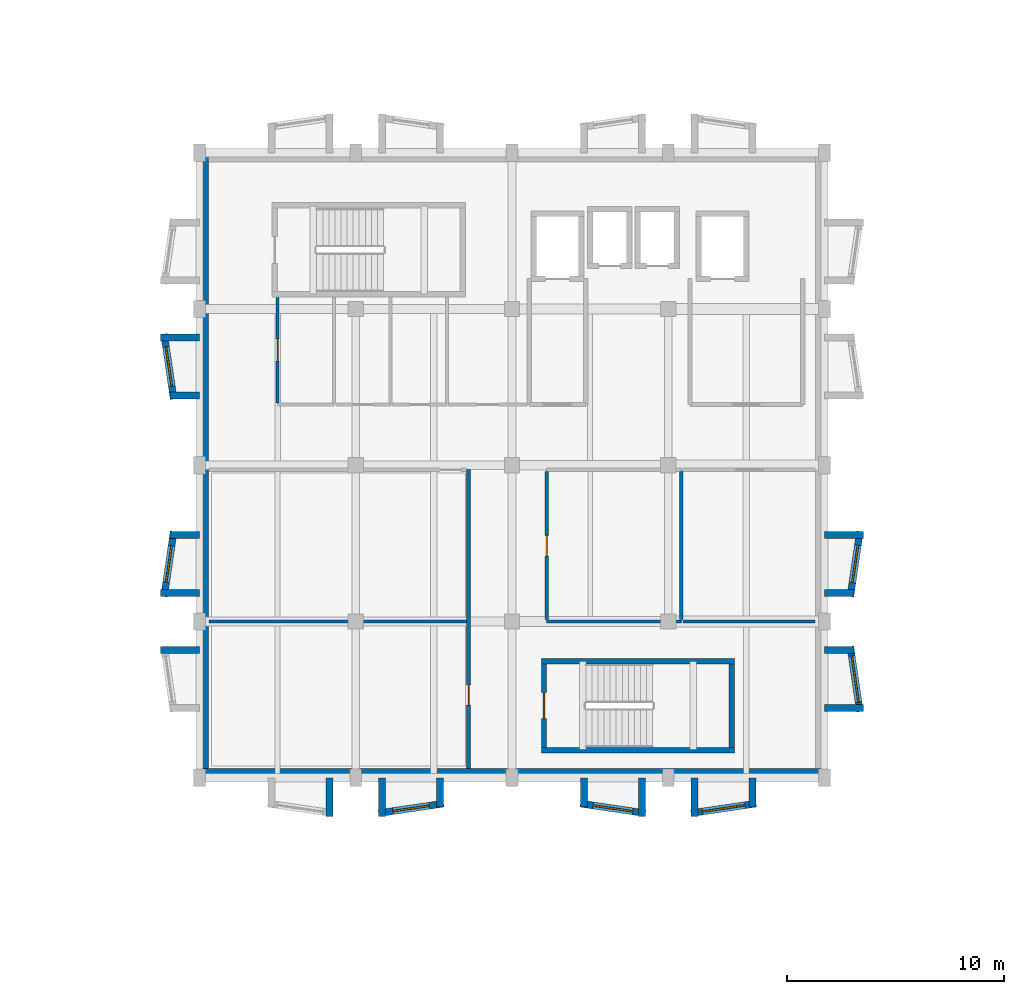
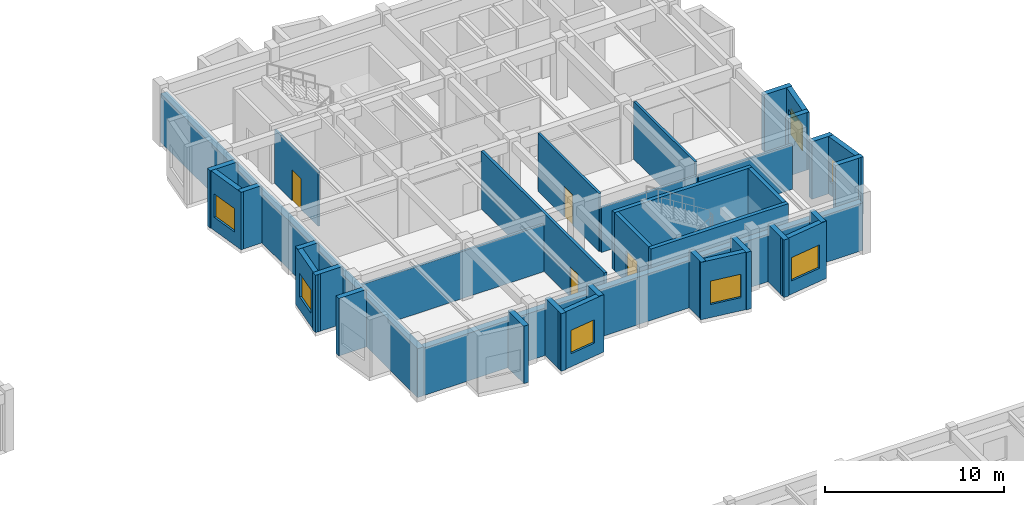
# One storey, part 37 of 49: 36 walls, 7 windows, 4 doors, 11 openings.
"""IFC4 building model written with IfcOpenShell, lengths in metres."""

from ifc_helpers import new_model, si_unit, direction, frame, frame_2d, origin, place, context, subcontext, project, spatial, rectangle, extrude, material, layer, layer_set, type_object, element, fill, save


model = new_model("IFC4")

# Units and contexts
model_context = context("Model", 3, precision=1e-05, world=origin(), true_north=direction((0.0, 1.0)))
body_context = subcontext(model_context, "Body", "Model", "MODEL_VIEW")
ifc_project = project(units=[si_unit("LENGTHUNIT", "METRE"), si_unit("AREAUNIT", "SQUARE_METRE"), si_unit("VOLUMEUNIT", "CUBIC_METRE"), si_unit("PLANEANGLEUNIT", "RADIAN"), si_unit("MASSUNIT", "GRAM", prefix="KILO")], contexts=[model_context])

# Site, building, storey
site_placement = place(None, origin())
site = spatial("IfcSite", under=ifc_project, at=site_placement, CompositionType="ELEMENT")
building_placement = place(site_placement, origin())
building = spatial("IfcBuilding", under=site, at=building_placement, Name="Bramveld Media Centre", CompositionType="ELEMENT")
storey_placement = place(building_placement, frame((0.0, 0.0, 9.60009765625)))
storey = spatial("IfcBuildingStorey", under=building, at=storey_placement, Name="L02", CompositionType="ELEMENT", Elevation=9.60009765625)

# Walls
ifc_material_1 = material(Name="Concrete C40/50 stair & lift core wall", Category="concrete")
ifc_layer_1 = layer(ifc_material_1, 0.25)
ifc_layer_set_1 = layer_set([ifc_layer_1], Name="Concrete C40/50 stair & lift core wall")
wall_type_1 = type_object("IfcWallType", Name="CWALL-SHEAR-250", PredefinedType="SHEAR", material=ifc_layer_set_1)
for number, where, z_axis, x_axis, name in (
    (1, (146.949951171875, 84.47509765625, 0.0), (0.0, 0.0, 1.0), (1.0, 0.0, 0.0), "ST-02 L02 stair core shear wall S"),
    (2, (155.85009765625, 88.574951171875, 0.0), (0.0, 0.0, 1.0), (-1.0, 0.0, 0.0), "ST-02 L02 stair core shear wall N"),
):
    element("IfcWall", number, at=place(storey_placement, frame(where, z_axis=z_axis, x_axis=x_axis)), inside=storey, type_object=wall_type_1, Name=name, PredefinedType="SHEAR", context=body_context, shape_type="SweptSolid", body=[
        extrude(rectangle(XDim=8.900146484375, YDim=0.25, at=frame_2d((4.4501953125, 0.0))), origin(), (0.0, 0.0, 1.0), 3.949951171875),
    ])

# Wall, opening, door
wall_1_placement = place(storey_placement, frame((147.074951171875, 88.449951171875, 0.0), z_axis=(0.0, 0.0, 1.0), x_axis=(0.0, -1.0, 0.0)))
wall_1 = element("IfcWall", 3, at=wall_1_placement, inside=storey, type_object=wall_type_1, Name="ST-02 L02 stair core shear wall W", PredefinedType="SHEAR", context=body_context, shape_type="SweptSolid", body=[
    extrude(rectangle(XDim=3.849853515625, YDim=0.25, at=frame_2d((1.9248046875, 0.0))), origin(), (0.0, 0.0, 1.0), 3.949951171875),
])
opening_1_placement = place(wall_1_placement, frame((1.324951171875, 0.0, 0.0)))
opening_1 = element("IfcOpeningElement", 4, at=opening_1_placement, cuts=wall_1, Name="Opening SD-02-L02", PredefinedType="OPENING", context=body_context, shape_type="SweptSolid", body=[
    extrude(rectangle(XDim=1.199951171875, YDim=2.14990234375, at=frame_2d((0.60009765625, 1.074951171875))), frame((0.0, 0.136962890625, 0.0), z_axis=(0.0, -1.0, 0.0), x_axis=(1.0, 0.0, 0.0)), (0.0, 0.0, 1.0), 0.27392578125),
])
ifc_material_2 = material(Name="Painted galvanized steel acoustic fire door with intumescent smoke seals", Category="steel")
door_type_1 = type_object("IfcDoorType", Name="DR-ST-1200", OperationType="NOTDEFINED", PredefinedType="DOOR", material=ifc_material_2)
door_1_placement = place(opening_1_placement, origin())
door_1 = element("IfcDoor", 5, at=door_1_placement, inside=storey, type_object=door_type_1, Name="ST-02 L02 pressurized stair fire door", OperationType="SINGLE_SWING_LEFT", OverallHeight=2.14990234375, OverallWidth=1.199951171875, PredefinedType="DOOR", context=body_context, shape_type="SweptSolid", body=[
    extrude(rectangle(XDim=1.199951171875, YDim=2.14990234375, at=frame_2d((0.60009765625, 1.074951171875))), frame((0.0, 0.02490234375, 0.0), z_axis=(0.0, -1.0, 0.0), x_axis=(1.0, 0.0, 0.0)), (0.0, 0.0, 1.0), 0.050048828125),
])
fill(opening_1, door_1)

# Walls
wall_2_placement = place(storey_placement, frame((155.72509765625, 84.60009765625, 0.0), z_axis=(0.0, 0.0, 1.0), x_axis=(0.0, 1.0, 0.0)))
element("IfcWall", 6, at=wall_2_placement, inside=storey, type_object=wall_type_1, Name="ST-02 L02 stair core shear wall E", PredefinedType="SHEAR", context=body_context, shape_type="SweptSolid", body=[
    extrude(rectangle(XDim=3.849853515625, YDim=0.25, at=frame_2d((1.9248046875, 0.0))), origin(), (0.0, 0.0, 1.0), 3.949951171875),
])
ifc_material_3 = material(Name="Flemish red-brown clay facing brick cavity wall with concrete C35/45 inner leaf", Category="masonry")
ifc_layer_2 = layer(ifc_material_3, 0.419921875)
ifc_layer_set_2 = layer_set([ifc_layer_2], Name="Flemish red-brown clay facing brick cavity wall with concrete C35/45 inner leaf")
wall_type_2 = type_object("IfcWallType", Name="EW-BRK-420", PredefinedType="SOLIDWALL", material=ifc_layer_set_2)
wall_3_placement = place(storey_placement, frame((160.0, 83.409912109375, 0.0), z_axis=(0.0, 0.0, 1.0), x_axis=(-1.0, 0.0, 0.0)))
element("IfcWall", 7, at=wall_3_placement, inside=storey, type_object=wall_type_2, Name="V7 L02 S facing brick exterior wall", PredefinedType="SOLIDWALL", context=body_context, shape_type="SweptSolid", body=[
    extrude(rectangle(XDim=28.800048828125, YDim=0.419921875, at=frame_2d((14.39990234375, 0.0))), origin(), (0.0, 0.0, 1.0), 3.244873046875),
])
wall_4_placement = place(storey_placement, frame((131.409912109375, 83.199951171875, 0.0), z_axis=(0.0, 0.0, 1.0), x_axis=(0.0, 1.0, 0.0)))
element("IfcWall", 8, at=wall_4_placement, inside=storey, type_object=wall_type_2, Name="V7 L02 W facing brick exterior wall", PredefinedType="SOLIDWALL", context=body_context, shape_type="SweptSolid", body=[
    extrude(rectangle(XDim=28.800048828125, YDim=0.419921875, at=frame_2d((14.39990234375, 0.0))), origin(), (0.0, 0.0, 1.0), 3.344970703125),
])
ifc_material_4 = material(Name="Precast concrete C40/50 & brick-slip faceted bay cheek wall", Category="masonry")
ifc_layer_3 = layer(ifc_material_4, 0.320068359375)
ifc_layer_set_3 = layer_set([ifc_layer_3], Name="Precast concrete C40/50 & brick-slip faceted bay cheek wall")
wall_type_3 = type_object("IfcWallType", Name="EW-FACET-320", PredefinedType="SOLIDWALL", material=ifc_layer_set_3)
wall_5_placement = place(storey_placement, frame((137.18994140625, 83.199951171875, 0.0), z_axis=(0.0, 0.0, 1.0), x_axis=(0.0, -1.0, 0.0)))
element("IfcWall", 9, at=wall_5_placement, inside=storey, type_object=wall_type_3, Name="V7 L02 S faceted bay cheek wall", PredefinedType="SOLIDWALL", context=body_context, shape_type="SweptSolid", body=[
    extrude(rectangle(XDim=1.79296875, YDim=0.320068359375, at=frame_2d((0.896484375, 0.0))), origin(), (0.0, 0.0, 1.0), 3.929931640625),
])

# Wall, opening, window
wall_6_placement = place(storey_placement, frame((139.449951171875, 81.56689453125, 0.0), z_axis=(0.0, 0.0, 1.0), x_axis=(0.989266910268, 0.146119746268, 0.0)))
wall_6 = element("IfcWall", 10, at=wall_6_placement, inside=storey, type_object=wall_type_3, Name="V7 L02 S angled faceted bay front wall 2", PredefinedType="SOLIDWALL", context=body_context, shape_type="SweptSolid", body=[
    extrude(rectangle(XDim=3.032470703125, YDim=0.320068359375, at=frame_2d((1.51611328125, 0.0))), origin(), (0.0, 0.0, 1.0), 3.929931640625),
])
opening_2_placement = place(wall_6_placement, frame((0.666259765625, 0.0, 0.89990234375)))
opening_2 = element("IfcOpeningElement", 11, at=opening_2_placement, cuts=wall_6, Name="Opening W-29", PredefinedType="OPENING", context=body_context, shape_type="SweptSolid", body=[
    extrude(rectangle(XDim=1.699951171875, YDim=1.60009765625, at=frame_2d((0.85009765625, 0.800048828125))), frame((0.0, 0.171875, 0.0), z_axis=(0.0, -1.0, 0.0), x_axis=(1.0, 0.0, 0.0)), (0.0, 0.0, 1.0), 0.343994140625),
])
ifc_material_5 = material(Name="Thermally broken anodized bronze aluminium frame with triple acoustic glazing", Category="aluminium")
window_type_1 = type_object("IfcWindowType", Name="WIN-FAC-29", PartitioningType="SINGLE_PANEL", PredefinedType="WINDOW", material=ifc_material_5)
window_1_placement = place(opening_2_placement, origin())
window_1 = element("IfcWindow", 12, at=window_1_placement, inside=storey, type_object=window_type_1, Name="V7 L02 S faceted bay window 2", OverallHeight=1.60009765625, OverallWidth=1.699951171875, PartitioningType="SINGLE_PANEL", PredefinedType="WINDOW", context=body_context, shape_type="SweptSolid", body=[
    extrude(rectangle(XDim=1.699951171875, YDim=1.60009765625, at=frame_2d((0.85009765625, 0.800048828125))), frame((0.0, 0.030029296875, 0.0), z_axis=(0.0, -1.0, 0.0), x_axis=(1.0, 0.0, 0.0)), (0.0, 0.0, 1.0), 0.06005859375),
])
fill(opening_2, window_1)

# Walls
wall_7_placement = place(storey_placement, frame((139.610107421875, 83.199951171875, 0.0), z_axis=(0.0, 0.0, 1.0), x_axis=(0.0, -1.0, 0.0)))
element("IfcWall", 13, at=wall_7_placement, inside=storey, type_object=wall_type_3, Name="V7 L02 S faceted bay cheek wall", PredefinedType="SOLIDWALL", context=body_context, shape_type="SweptSolid", body=[
    extrude(rectangle(XDim=1.79296875, YDim=0.320068359375, at=frame_2d((0.896484375, 0.0))), origin(), (0.0, 0.0, 1.0), 3.929931640625),
])
wall_8_placement = place(storey_placement, frame((142.2900390625, 83.199951171875, 0.0), z_axis=(0.0, 0.0, 1.0), x_axis=(0.0, -1.0, 0.0)))
element("IfcWall", 14, at=wall_8_placement, inside=storey, type_object=wall_type_3, Name="V7 L02 S faceted bay cheek wall", PredefinedType="SOLIDWALL", context=body_context, shape_type="SweptSolid", body=[
    extrude(rectangle(XDim=1.349853515625, YDim=0.320068359375, at=frame_2d((0.6748046875, 0.0))), origin(), (0.0, 0.0, 1.0), 3.929931640625),
])

# Wall, opening, window
wall_9_placement = place(storey_placement, frame((148.75, 82.010009765625, 0.0), z_axis=(0.0, 0.0, 1.0), x_axis=(0.989266910268, -0.146119746268, 0.0)))
wall_9 = element("IfcWall", 15, at=wall_9_placement, inside=storey, type_object=wall_type_3, Name="V7 L02 S angled faceted bay front wall 3", PredefinedType="SOLIDWALL", context=body_context, shape_type="SweptSolid", body=[
    extrude(rectangle(XDim=3.032470703125, YDim=0.320068359375, at=frame_2d((1.51611328125, 0.0))), origin(), (0.0, 0.0, 1.0), 3.929931640625),
])
opening_3_placement = place(wall_9_placement, frame((0.59130859375, 0.0, 0.89990234375)))
opening_3 = element("IfcOpeningElement", 16, at=opening_3_placement, cuts=wall_9, Name="Opening W-30", PredefinedType="OPENING", context=body_context, shape_type="SweptSolid", body=[
    extrude(rectangle(XDim=1.85009765625, YDim=1.60009765625, at=frame_2d((0.925048828125, 0.800048828125))), frame((0.0, 0.171875, 0.0), z_axis=(0.0, -1.0, 0.0), x_axis=(1.0, 0.0, 0.0)), (0.0, 0.0, 1.0), 0.343994140625),
])
ifc_material_6 = material(Name="Thermally broken anodized bronze aluminium frame with triple acoustic glazing", Category="aluminium")
window_type_2 = type_object("IfcWindowType", Name="WIN-FAC-30", PartitioningType="SINGLE_PANEL", PredefinedType="WINDOW", material=ifc_material_6)
window_2_placement = place(opening_3_placement, origin())
window_2 = element("IfcWindow", 17, at=window_2_placement, inside=storey, type_object=window_type_2, Name="V7 L02 S faceted bay window 3", OverallHeight=1.60009765625, OverallWidth=1.85009765625, PartitioningType="SINGLE_PANEL", PredefinedType="WINDOW", context=body_context, shape_type="SweptSolid", body=[
    extrude(rectangle(XDim=1.85009765625, YDim=1.60009765625, at=frame_2d((0.925048828125, 0.800048828125))), frame((0.0, 0.030029296875, 0.0), z_axis=(0.0, -1.0, 0.0), x_axis=(1.0, 0.0, 0.0)), (0.0, 0.0, 1.0), 0.06005859375),
])
fill(opening_3, window_2)

# Walls
wall_10_placement = place(storey_placement, frame((148.909912109375, 83.199951171875, 0.0), z_axis=(0.0, 0.0, 1.0), x_axis=(0.0, -1.0, 0.0)))
element("IfcWall", 18, at=wall_10_placement, inside=storey, type_object=wall_type_3, Name="V7 L02 S faceted bay cheek wall", PredefinedType="SOLIDWALL", context=body_context, shape_type="SweptSolid", body=[
    extrude(rectangle(XDim=1.349853515625, YDim=0.320068359375, at=frame_2d((0.6748046875, 0.0))), origin(), (0.0, 0.0, 1.0), 3.929931640625),
])
wall_11_placement = place(storey_placement, frame((151.590087890625, 83.199951171875, 0.0), z_axis=(0.0, 0.0, 1.0), x_axis=(0.0, -1.0, 0.0)))
element("IfcWall", 19, at=wall_11_placement, inside=storey, type_object=wall_type_3, Name="V7 L02 S faceted bay cheek wall", PredefinedType="SOLIDWALL", context=body_context, shape_type="SweptSolid", body=[
    extrude(rectangle(XDim=1.79296875, YDim=0.320068359375, at=frame_2d((0.896484375, 0.0))), origin(), (0.0, 0.0, 1.0), 3.929931640625),
])

# Wall, opening, window
wall_12_placement = place(storey_placement, frame((153.85009765625, 81.56689453125, 0.0), z_axis=(0.0, 0.0, 1.0), x_axis=(0.989266910268, 0.146119746268, 0.0)))
wall_12 = element("IfcWall", 20, at=wall_12_placement, inside=storey, type_object=wall_type_3, Name="V7 L02 S angled faceted bay front wall 4", PredefinedType="SOLIDWALL", context=body_context, shape_type="SweptSolid", body=[
    extrude(rectangle(XDim=3.032470703125, YDim=0.320068359375, at=frame_2d((1.51611328125, 0.0))), origin(), (0.0, 0.0, 1.0), 3.929931640625),
])
opening_4_placement = place(wall_12_placement, frame((0.516357421875, 0.0, 0.89990234375)))
opening_4 = element("IfcOpeningElement", 21, at=opening_4_placement, cuts=wall_12, Name="Opening W-31", PredefinedType="OPENING", context=body_context, shape_type="SweptSolid", body=[
    extrude(rectangle(XDim=2.0, YDim=1.60009765625, at=frame_2d((1.0, 0.800048828125))), frame((0.0, 0.171875, 0.0), z_axis=(0.0, -1.0, 0.0), x_axis=(1.0, 0.0, 0.0)), (0.0, 0.0, 1.0), 0.343994140625),
])
ifc_material_7 = material(Name="Thermally broken anodized bronze aluminium frame with triple acoustic glazing", Category="aluminium")
window_type_3 = type_object("IfcWindowType", Name="WIN-FAC-31", PartitioningType="SINGLE_PANEL", PredefinedType="WINDOW", material=ifc_material_7)
window_3_placement = place(opening_4_placement, origin())
window_3 = element("IfcWindow", 22, at=window_3_placement, inside=storey, type_object=window_type_3, Name="V7 L02 S faceted bay window 4", OverallHeight=1.60009765625, OverallWidth=2.0, PartitioningType="SINGLE_PANEL", PredefinedType="WINDOW", context=body_context, shape_type="SweptSolid", body=[
    extrude(rectangle(XDim=2.0, YDim=1.60009765625, at=frame_2d((1.0, 0.800048828125))), frame((0.0, 0.030029296875, 0.0), z_axis=(0.0, -1.0, 0.0), x_axis=(1.0, 0.0, 0.0)), (0.0, 0.0, 1.0), 0.06005859375),
])
fill(opening_4, window_3)

# Walls
wall_13_placement = place(storey_placement, frame((154.010009765625, 83.199951171875, 0.0), z_axis=(0.0, 0.0, 1.0), x_axis=(0.0, -1.0, 0.0)))
element("IfcWall", 23, at=wall_13_placement, inside=storey, type_object=wall_type_3, Name="V7 L02 S faceted bay cheek wall", PredefinedType="SOLIDWALL", context=body_context, shape_type="SweptSolid", body=[
    extrude(rectangle(XDim=1.79296875, YDim=0.320068359375, at=frame_2d((0.896484375, 0.0))), origin(), (0.0, 0.0, 1.0), 3.929931640625),
])
wall_14_placement = place(storey_placement, frame((156.68994140625, 83.199951171875, 0.0), z_axis=(0.0, 0.0, 1.0), x_axis=(0.0, -1.0, 0.0)))
element("IfcWall", 24, at=wall_14_placement, inside=storey, type_object=wall_type_3, Name="V7 L02 S faceted bay cheek wall", PredefinedType="SOLIDWALL", context=body_context, shape_type="SweptSolid", body=[
    extrude(rectangle(XDim=1.349853515625, YDim=0.320068359375, at=frame_2d((0.6748046875, 0.0))), origin(), (0.0, 0.0, 1.0), 3.929931640625),
])

# Wall, opening, window
wall_15_placement = place(storey_placement, frame((161.633056640625, 86.25, 0.0), z_axis=(0.0, 0.0, 1.0), x_axis=(-0.146119746268, 0.989266910268, 0.0)))
wall_15 = element("IfcWall", 25, at=wall_15_placement, inside=storey, type_object=wall_type_3, Name="V7 L02 E angled faceted bay front wall 1", PredefinedType="SOLIDWALL", context=body_context, shape_type="SweptSolid", body=[
    extrude(rectangle(XDim=3.032470703125, YDim=0.320068359375, at=frame_2d((1.51611328125, 0.0))), origin(), (0.0, 0.0, 1.0), 3.929931640625),
])
opening_5_placement = place(wall_15_placement, frame((0.44140625, 0.0, 0.89990234375)))
opening_5 = element("IfcOpeningElement", 26, at=opening_5_placement, cuts=wall_15, Name="Opening W-32", PredefinedType="OPENING", context=body_context, shape_type="SweptSolid", body=[
    extrude(rectangle(XDim=2.14990234375, YDim=1.60009765625, at=frame_2d((1.074951171875, 0.800048828125))), frame((0.0, 0.171875, 0.0), z_axis=(0.0, -1.0, 0.0), x_axis=(1.0, 0.0, 0.0)), (0.0, 0.0, 1.0), 0.343994140625),
])
ifc_material_8 = material(Name="Thermally broken anodized bronze aluminium frame with triple acoustic glazing", Category="aluminium")
window_type_4 = type_object("IfcWindowType", Name="WIN-FAC-32", PartitioningType="SINGLE_PANEL", PredefinedType="WINDOW", material=ifc_material_8)
window_4_placement = place(opening_5_placement, origin())
window_4 = element("IfcWindow", 27, at=window_4_placement, inside=storey, type_object=window_type_4, Name="V7 L02 E faceted bay window 1", OverallHeight=1.60009765625, OverallWidth=2.14990234375, PartitioningType="SINGLE_PANEL", PredefinedType="WINDOW", context=body_context, shape_type="SweptSolid", body=[
    extrude(rectangle(XDim=2.14990234375, YDim=1.60009765625, at=frame_2d((1.074951171875, 0.800048828125))), frame((0.0, 0.030029296875, 0.0), z_axis=(0.0, -1.0, 0.0), x_axis=(1.0, 0.0, 0.0)), (0.0, 0.0, 1.0), 0.06005859375),
])
fill(opening_5, window_4)

# Walls
wall_16_placement = place(storey_placement, frame((160.0, 86.409912109375, 0.0), z_axis=(0.0, 0.0, 1.0), x_axis=(1.0, 0.0, 0.0)))
element("IfcWall", 28, at=wall_16_placement, inside=storey, type_object=wall_type_3, Name="V7 L02 E faceted bay cheek wall", PredefinedType="SOLIDWALL", context=body_context, shape_type="SweptSolid", body=[
    extrude(rectangle(XDim=1.79296875, YDim=0.320068359375, at=frame_2d((0.896484375, 0.0))), origin(), (0.0, 0.0, 1.0), 3.929931640625),
])
wall_17_placement = place(storey_placement, frame((160.0, 89.090087890625, 0.0), z_axis=(0.0, 0.0, 1.0), x_axis=(1.0, 0.0, 0.0)))
element("IfcWall", 29, at=wall_17_placement, inside=storey, type_object=wall_type_3, Name="V7 L02 E faceted bay cheek wall", PredefinedType="SOLIDWALL", context=body_context, shape_type="SweptSolid", body=[
    extrude(rectangle(XDim=1.35009765625, YDim=0.320068359375, at=frame_2d((0.675048828125, 0.0))), origin(), (0.0, 0.0, 1.0), 3.929931640625),
])

# Wall, opening, window
wall_18_placement = place(storey_placement, frame((161.18994140625, 91.550048828125, 0.0), z_axis=(0.0, 0.0, 1.0), x_axis=(0.146119746268, 0.989266910268, 0.0)))
wall_18 = element("IfcWall", 30, at=wall_18_placement, inside=storey, type_object=wall_type_3, Name="V7 L02 E angled faceted bay front wall 2", PredefinedType="SOLIDWALL", context=body_context, shape_type="SweptSolid", body=[
    extrude(rectangle(XDim=3.032470703125, YDim=0.320068359375, at=frame_2d((1.51611328125, 0.0))), origin(), (0.0, 0.0, 1.0), 3.929931640625),
])
opening_6_placement = place(wall_18_placement, frame((0.641357421875, 0.0, 0.89990234375)))
opening_6 = element("IfcOpeningElement", 31, at=opening_6_placement, cuts=wall_18, Name="Opening W-33", PredefinedType="OPENING", context=body_context, shape_type="SweptSolid", body=[
    extrude(rectangle(XDim=1.75, YDim=1.75, at=frame_2d((0.875, 0.875))), frame((0.0, 0.171875, 0.0), z_axis=(0.0, -1.0, 0.0), x_axis=(1.0, 0.0, 0.0)), (0.0, 0.0, 1.0), 0.343994140625),
])
ifc_material_9 = material(Name="Thermally broken anodized bronze aluminium frame with triple acoustic glazing", Category="aluminium")
window_type_5 = type_object("IfcWindowType", Name="WIN-FAC-33", PartitioningType="SINGLE_PANEL", PredefinedType="WINDOW", material=ifc_material_9)
window_5_placement = place(opening_6_placement, origin())
window_5 = element("IfcWindow", 32, at=window_5_placement, inside=storey, type_object=window_type_5, Name="V7 L02 E faceted bay window 2", OverallHeight=1.75, OverallWidth=1.75, PartitioningType="SINGLE_PANEL", PredefinedType="WINDOW", context=body_context, shape_type="SweptSolid", body=[
    extrude(rectangle(XDim=1.75, YDim=1.75, at=frame_2d((0.875, 0.875))), frame((0.0, 0.030029296875, 0.0), z_axis=(0.0, -1.0, 0.0), x_axis=(1.0, 0.0, 0.0)), (0.0, 0.0, 1.0), 0.06005859375),
])
fill(opening_6, window_5)

# Walls
wall_19_placement = place(storey_placement, frame((160.0, 91.7099609375, 0.0), z_axis=(0.0, 0.0, 1.0), x_axis=(1.0, 0.0, 0.0)))
element("IfcWall", 33, at=wall_19_placement, inside=storey, type_object=wall_type_3, Name="V7 L02 E faceted bay cheek wall", PredefinedType="SOLIDWALL", context=body_context, shape_type="SweptSolid", body=[
    extrude(rectangle(XDim=1.35009765625, YDim=0.320068359375, at=frame_2d((0.675048828125, 0.0))), origin(), (0.0, 0.0, 1.0), 3.929931640625),
])
for number, where, z_axis, x_axis, name in (
    (34, (160.0, 94.389892578125, 0.0), (0.0, 0.0, 1.0), (1.0, 0.0, 0.0), "V7 L02 E faceted bay cheek wall"),
    (35, (131.199951171875, 89.090087890625, 0.0), (0.0, 0.0, 1.0), (-1.0, 0.0, 0.0), "V7 L02 W faceted bay cheek wall"),
):
    element("IfcWall", number, at=place(storey_placement, frame(where, z_axis=z_axis, x_axis=x_axis)), inside=storey, type_object=wall_type_3, Name=name, PredefinedType="SOLIDWALL", context=body_context, shape_type="SweptSolid", body=[
        extrude(rectangle(XDim=1.79296875, YDim=0.320068359375, at=frame_2d((0.896484375, 0.0))), origin(), (0.0, 0.0, 1.0), 3.929931640625),
    ])

# Wall, opening, window
wall_20_placement = place(storey_placement, frame((130.010009765625, 94.550048828125, 0.0), z_axis=(0.0, 0.0, 1.0), x_axis=(-0.146119746268, -0.989266910268, 0.0)))
wall_20 = element("IfcWall", 36, at=wall_20_placement, inside=storey, type_object=wall_type_3, Name="V7 L02 W angled faceted bay front wall 2", PredefinedType="SOLIDWALL", context=body_context, shape_type="SweptSolid", body=[
    extrude(rectangle(XDim=3.032470703125, YDim=0.320068359375, at=frame_2d((1.51611328125, 0.0))), origin(), (0.0, 0.0, 1.0), 3.929931640625),
])
opening_7_placement = place(wall_20_placement, frame((0.666259765625, 0.0, 0.89990234375)))
opening_7 = element("IfcOpeningElement", 37, at=opening_7_placement, cuts=wall_20, Name="Opening W-29", PredefinedType="OPENING", context=body_context, shape_type="SweptSolid", body=[
    extrude(rectangle(XDim=1.699951171875, YDim=1.60009765625, at=frame_2d((0.85009765625, 0.800048828125))), frame((0.0, 0.171875, 0.0), z_axis=(0.0, -1.0, 0.0), x_axis=(1.0, 0.0, 0.0)), (0.0, 0.0, 1.0), 0.343994140625),
])
window_6_placement = place(opening_7_placement, origin())
window_6 = element("IfcWindow", 38, at=window_6_placement, inside=storey, type_object=window_type_1, Name="V7 L02 W faceted bay window 2", OverallHeight=1.60009765625, OverallWidth=1.699951171875, PartitioningType="SINGLE_PANEL", PredefinedType="WINDOW", context=body_context, shape_type="SweptSolid", body=[
    extrude(rectangle(XDim=1.699951171875, YDim=1.60009765625, at=frame_2d((0.85009765625, 0.800048828125))), frame((0.0, 0.030029296875, 0.0), z_axis=(0.0, -1.0, 0.0), x_axis=(1.0, 0.0, 0.0)), (0.0, 0.0, 1.0), 0.06005859375),
])
fill(opening_7, window_6)

# Walls
wall_21_placement = place(storey_placement, frame((131.199951171875, 91.7099609375, 0.0), z_axis=(0.0, 0.0, 1.0), x_axis=(-1.0, 0.0, 0.0)))
element("IfcWall", 39, at=wall_21_placement, inside=storey, type_object=wall_type_3, Name="V7 L02 W faceted bay cheek wall", PredefinedType="SOLIDWALL", context=body_context, shape_type="SweptSolid", body=[
    extrude(rectangle(XDim=1.79296875, YDim=0.320068359375, at=frame_2d((0.896484375, 0.0))), origin(), (0.0, 0.0, 1.0), 3.929931640625),
])
wall_22_placement = place(storey_placement, frame((131.199951171875, 94.389892578125, 0.0), z_axis=(0.0, 0.0, 1.0), x_axis=(-1.0, 0.0, 0.0)))
element("IfcWall", 40, at=wall_22_placement, inside=storey, type_object=wall_type_3, Name="V7 L02 W faceted bay cheek wall", PredefinedType="SOLIDWALL", context=body_context, shape_type="SweptSolid", body=[
    extrude(rectangle(XDim=1.349853515625, YDim=0.320068359375, at=frame_2d((0.6748046875, 0.0))), origin(), (0.0, 0.0, 1.0), 3.929931640625),
])

# Wall, opening, window
wall_23_placement = place(storey_placement, frame((129.56689453125, 103.64990234375, 0.0), z_axis=(0.0, 0.0, 1.0), x_axis=(0.146119746268, -0.989266910268, 0.0)))
wall_23 = element("IfcWall", 41, at=wall_23_placement, inside=storey, type_object=wall_type_3, Name="V7 L02 W angled faceted bay front wall 3", PredefinedType="SOLIDWALL", context=body_context, shape_type="SweptSolid", body=[
    extrude(rectangle(XDim=3.032470703125, YDim=0.320068359375, at=frame_2d((1.51611328125, 0.0))), origin(), (0.0, 0.0, 1.0), 3.929931640625),
])
opening_8_placement = place(wall_23_placement, frame((0.59130859375, 0.0, 0.89990234375)))
opening_8 = element("IfcOpeningElement", 42, at=opening_8_placement, cuts=wall_23, Name="Opening W-30", PredefinedType="OPENING", context=body_context, shape_type="SweptSolid", body=[
    extrude(rectangle(XDim=1.85009765625, YDim=1.60009765625, at=frame_2d((0.925048828125, 0.800048828125))), frame((0.0, 0.171875, 0.0), z_axis=(0.0, -1.0, 0.0), x_axis=(1.0, 0.0, 0.0)), (0.0, 0.0, 1.0), 0.343994140625),
])
window_7_placement = place(opening_8_placement, origin())
window_7 = element("IfcWindow", 43, at=window_7_placement, inside=storey, type_object=window_type_2, Name="V7 L02 W faceted bay window 3", OverallHeight=1.60009765625, OverallWidth=1.85009765625, PartitioningType="SINGLE_PANEL", PredefinedType="WINDOW", context=body_context, shape_type="SweptSolid", body=[
    extrude(rectangle(XDim=1.85009765625, YDim=1.60009765625, at=frame_2d((0.925048828125, 0.800048828125))), frame((0.0, 0.030029296875, 0.0), z_axis=(0.0, -1.0, 0.0), x_axis=(1.0, 0.0, 0.0)), (0.0, 0.0, 1.0), 0.06005859375),
])
fill(opening_8, window_7)

# Walls
wall_24_placement = place(storey_placement, frame((131.199951171875, 100.81005859375, 0.0), z_axis=(0.0, 0.0, 1.0), x_axis=(-1.0, 0.0, 0.0)))
element("IfcWall", 44, at=wall_24_placement, inside=storey, type_object=wall_type_3, Name="V7 L02 W faceted bay cheek wall", PredefinedType="SOLIDWALL", context=body_context, shape_type="SweptSolid", body=[
    extrude(rectangle(XDim=1.349853515625, YDim=0.320068359375, at=frame_2d((0.6748046875, 0.0))), origin(), (0.0, 0.0, 1.0), 3.929931640625),
])
wall_25_placement = place(storey_placement, frame((131.199951171875, 103.489990234375, 0.0), z_axis=(0.0, 0.0, 1.0), x_axis=(-1.0, 0.0, 0.0)))
element("IfcWall", 45, at=wall_25_placement, inside=storey, type_object=wall_type_3, Name="V7 L02 W faceted bay cheek wall", PredefinedType="SOLIDWALL", context=body_context, shape_type="SweptSolid", body=[
    extrude(rectangle(XDim=1.79296875, YDim=0.320068359375, at=frame_2d((0.896484375, 0.0))), origin(), (0.0, 0.0, 1.0), 3.929931640625),
])

# Wall, opening, door
ifc_material_10 = material(Name="Fire-rated twin-frame gypsum corridor wall", Category="gypsum")
ifc_layer_4 = layer(ifc_material_10, 0.179931640625)
ifc_layer_set_4 = layer_set([ifc_layer_4], Name="Fire-rated twin-frame gypsum corridor wall")
wall_type_4 = type_object("IfcWallType", Name="IW-FIRE-180", PredefinedType="PARTITIONING", material=ifc_layer_set_4)
wall_26_placement = place(storey_placement, frame((143.60009765625, 83.6298828125, 0.0), z_axis=(0.0, 0.0, 1.0), x_axis=(0.0, 1.0, 0.0)))
wall_26 = element("IfcWall", 46, at=wall_26_placement, inside=storey, type_object=wall_type_4, Name="Stair ST-02 L02 Landing & Link Corridor partition wall", PredefinedType="PARTITIONING", context=body_context, shape_type="SweptSolid", body=[
    extrude(rectangle(XDim=13.77001953125, YDim=0.179931640625, at=frame_2d((6.885009765625, 0.0))), origin(), (0.0, 0.0, 1.0), 3.949951171875),
])
opening_9_placement = place(wall_26_placement, frame((2.925048828125, 0.0, 0.0)))
opening_9 = element("IfcOpeningElement", 47, at=opening_9_placement, cuts=wall_26, Name="Opening D-02-138", PredefinedType="OPENING", context=body_context, shape_type="SweptSolid", body=[
    extrude(rectangle(XDim=0.919921875, YDim=2.080078125, at=frame_2d((0.4599609375, 1.0400390625))), frame((0.0, 0.10205078125, 0.0), z_axis=(0.0, -1.0, 0.0), x_axis=(1.0, 0.0, 0.0)), (0.0, 0.0, 1.0), 0.203857421875),
])
ifc_material_11 = material(Name="Solid-core European oak acoustic timber leaf in steel frame", Category="steel")
door_type_2 = type_object("IfcDoorType", Name="DR-RM-0920", OperationType="NOTDEFINED", PredefinedType="DOOR", material=ifc_material_11)
door_2_placement = place(opening_9_placement, origin())
door_2 = element("IfcDoor", 48, at=door_2_placement, inside=storey, type_object=door_type_2, Name="Archival Research & Rights Clearance Office entrance door", OperationType="SINGLE_SWING_LEFT", OverallHeight=2.080078125, OverallWidth=0.919921875, PredefinedType="DOOR", context=body_context, shape_type="SweptSolid", body=[
    extrude(rectangle(XDim=0.919921875, YDim=2.080078125, at=frame_2d((0.4599609375, 1.0400390625))), frame((0.0, 0.02490234375, 0.0), z_axis=(0.0, -1.0, 0.0), x_axis=(1.0, 0.0, 0.0)), (0.0, 0.0, 1.0), 0.050048828125),
])
fill(opening_9, door_2)

# Walls
ifc_material_12 = material(Name="Insulated metal-stud gypsum room partition", Category="gypsum")
ifc_layer_5 = layer(ifc_material_12, 0.14990234375)
ifc_layer_set_5 = layer_set([ifc_layer_5], Name="Insulated metal-stud gypsum room partition")
wall_type_5 = type_object("IfcWallType", Name="IW-PART-150", PredefinedType="PARTITIONING", material=ifc_layer_set_5)
wall_27_placement = place(storey_placement, frame((131.6298828125, 90.39990234375, 0.0), z_axis=(0.0, 0.0, 1.0), x_axis=(1.0, 0.0, 0.0)))
element("IfcWall", 49, at=wall_27_placement, inside=storey, type_object=wall_type_5, Name="Documentary Commissioning Hub partition wall", PredefinedType="PARTITIONING", context=body_context, shape_type="SweptSolid", body=[
    extrude(rectangle(XDim=11.8701171875, YDim=0.14990234375, at=frame_2d((5.93505859375, 0.0))), origin(), (0.0, 0.0, 1.0), 3.224853515625),
])
wall_28_placement = place(storey_placement, frame((147.199951171875, 90.39990234375, 0.0), z_axis=(0.0, 0.0, 1.0), x_axis=(1.0, 0.0, 0.0)))
element("IfcWall", 50, at=wall_28_placement, inside=storey, type_object=wall_type_5, Name="Television Edit & Mastering Studio 1 partition wall", PredefinedType="PARTITIONING", context=body_context, shape_type="SweptSolid", body=[
    extrude(rectangle(XDim=6.199951171875, YDim=0.14990234375, at=frame_2d((3.10009765625, 0.0))), origin(), (0.0, 0.0, 1.0), 3.074951171875),
])

# Wall, opening, door
wall_29_placement = place(storey_placement, frame((147.199951171875, 90.485107421875, 0.0), z_axis=(0.0, 0.0, 1.0), x_axis=(0.0, 1.0, 0.0)))
wall_29 = element("IfcWall", 51, at=wall_29_placement, inside=storey, type_object=wall_type_5, Name="Television Edit & Mastering Studio 1 partition wall", PredefinedType="PARTITIONING", context=body_context, shape_type="SweptSolid", body=[
    extrude(rectangle(XDim=6.829833984375, YDim=0.14990234375, at=frame_2d((3.4150390625, 0.0))), origin(), (0.0, 0.0, 1.0), 3.949951171875),
])
opening_10_placement = place(wall_29_placement, frame((2.945068359375, 0.0, 0.0)))
opening_10 = element("IfcOpeningElement", 52, at=opening_10_placement, cuts=wall_29, Name="Opening D-02-137", PredefinedType="OPENING", context=body_context, shape_type="SweptSolid", body=[
    extrude(rectangle(XDim=0.93994140625, YDim=2.10009765625, at=frame_2d((0.469970703125, 1.050048828125))), frame((0.0, 0.0869140625, 0.0), z_axis=(0.0, -1.0, 0.0), x_axis=(1.0, 0.0, 0.0)), (0.0, 0.0, 1.0), 0.173828125),
])
ifc_material_13 = material(Name="Solid-core European oak acoustic timber leaf in steel frame", Category="steel")
door_type_3 = type_object("IfcDoorType", Name="DR-RM-0940", OperationType="NOTDEFINED", PredefinedType="DOOR", material=ifc_material_13)
door_3_placement = place(opening_10_placement, origin())
door_3 = element("IfcDoor", 53, at=door_3_placement, inside=storey, type_object=door_type_3, Name="Television Edit & Mastering Studio 1 entrance door", OperationType="SINGLE_SWING_RIGHT", OverallHeight=2.10009765625, OverallWidth=0.93994140625, PredefinedType="DOOR", context=body_context, shape_type="SweptSolid", body=[
    extrude(rectangle(XDim=0.93994140625, YDim=2.10009765625, at=frame_2d((0.469970703125, 1.050048828125))), frame((0.0, 0.02490234375, 0.0), z_axis=(0.0, -1.0, 0.0), x_axis=(1.0, 0.0, 0.0)), (0.0, 0.0, 1.0), 0.050048828125),
])
fill(opening_10, door_3)

# Walls
wall_30_placement = place(storey_placement, frame((153.39990234375, 90.485107421875, 0.0), z_axis=(0.0, 0.0, 1.0), x_axis=(0.0, 1.0, 0.0)))
element("IfcWall", 54, at=wall_30_placement, inside=storey, type_object=wall_type_5, Name="Television Edit & Mastering Studio 1 partition wall", PredefinedType="PARTITIONING", context=body_context, shape_type="SweptSolid", body=[
    extrude(rectangle(XDim=6.829833984375, YDim=0.14990234375, at=frame_2d((3.4150390625, 0.0))), origin(), (0.0, 0.0, 1.0), 3.949951171875),
])
wall_31_placement = place(storey_placement, frame((153.485107421875, 90.39990234375, 0.0), z_axis=(0.0, 0.0, 1.0), x_axis=(1.0, 0.0, 0.0)))
element("IfcWall", 55, at=wall_31_placement, inside=storey, type_object=wall_type_5, Name="Broadcast Graphics & VFX Studio partition wall", PredefinedType="PARTITIONING", context=body_context, shape_type="SweptSolid", body=[
    extrude(rectangle(XDim=6.0849609375, YDim=0.14990234375, at=frame_2d((3.04248046875, 0.0))), origin(), (0.0, 0.0, 1.0), 3.074951171875),
])

# Wall, opening, door
ifc_material_14 = material(Name="Moisture-resistant cement-board sanitary partition", Category="gypsum")
ifc_layer_6 = layer(ifc_material_14, 0.139892578125)
ifc_layer_set_6 = layer_set([ifc_layer_6], Name="Moisture-resistant cement-board sanitary partition")
wall_type_6 = type_object("IfcWallType", Name="IW-WET-140", PredefinedType="PARTITIONING", material=ifc_layer_set_6)
wall_32_placement = place(storey_placement, frame((134.800048828125, 100.47998046875, 0.0), z_axis=(0.0, 0.0, 1.0), x_axis=(0.0, 1.0, 0.0)))
wall_32 = element("IfcWall", 56, at=wall_32_placement, inside=storey, type_object=wall_type_6, Name="Accessible WC partition wall", PredefinedType="PARTITIONING", context=body_context, shape_type="SweptSolid", body=[
    extrude(rectangle(XDim=4.860107421875, YDim=0.139892578125, at=frame_2d((2.43017578125, 0.0))), origin(), (0.0, 0.0, 1.0), 3.6748046875),
])
opening_11_placement = place(wall_32_placement, frame((1.929931640625, 0.0, 0.0)))
opening_11 = element("IfcOpeningElement", 57, at=opening_11_placement, cuts=wall_32, Name="Opening D-02-132", PredefinedType="OPENING", context=body_context, shape_type="SweptSolid", body=[
    extrude(rectangle(XDim=1.0, YDim=2.10009765625, at=frame_2d((0.5, 1.050048828125))), frame((0.0, 0.08203125, 0.0), z_axis=(0.0, -1.0, 0.0), x_axis=(1.0, 0.0, 0.0)), (0.0, 0.0, 1.0), 0.163818359375),
])
ifc_material_15 = material(Name="Solid-core European oak acoustic timber leaf in steel frame", Category="steel")
door_type_4 = type_object("IfcDoorType", Name="DR-WC-PMR-1000", OperationType="NOTDEFINED", PredefinedType="DOOR", material=ifc_material_15)
door_4_placement = place(opening_11_placement, origin())
door_4 = element("IfcDoor", 58, at=door_4_placement, inside=storey, type_object=door_type_4, Name="Accessible WC entrance door", OperationType="SINGLE_SWING_LEFT", OverallHeight=2.10009765625, OverallWidth=1.0, PredefinedType="DOOR", context=body_context, shape_type="SweptSolid", body=[
    extrude(rectangle(XDim=1.0, YDim=2.10009765625, at=frame_2d((0.5, 1.050048828125))), frame((0.0, 0.02490234375, 0.0), z_axis=(0.0, -1.0, 0.0), x_axis=(1.0, 0.0, 0.0)), (0.0, 0.0, 1.0), 0.050048828125),
])
fill(opening_11, door_4)

save(model, "model.ifc")
